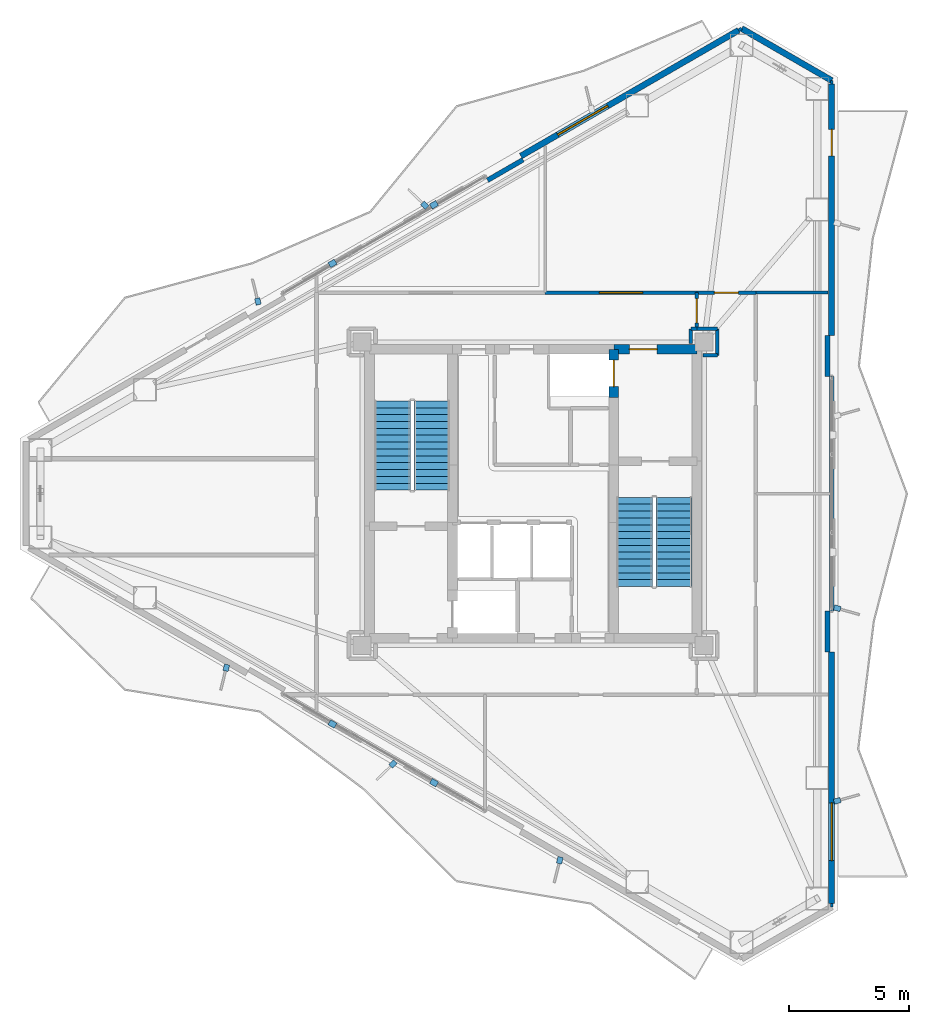
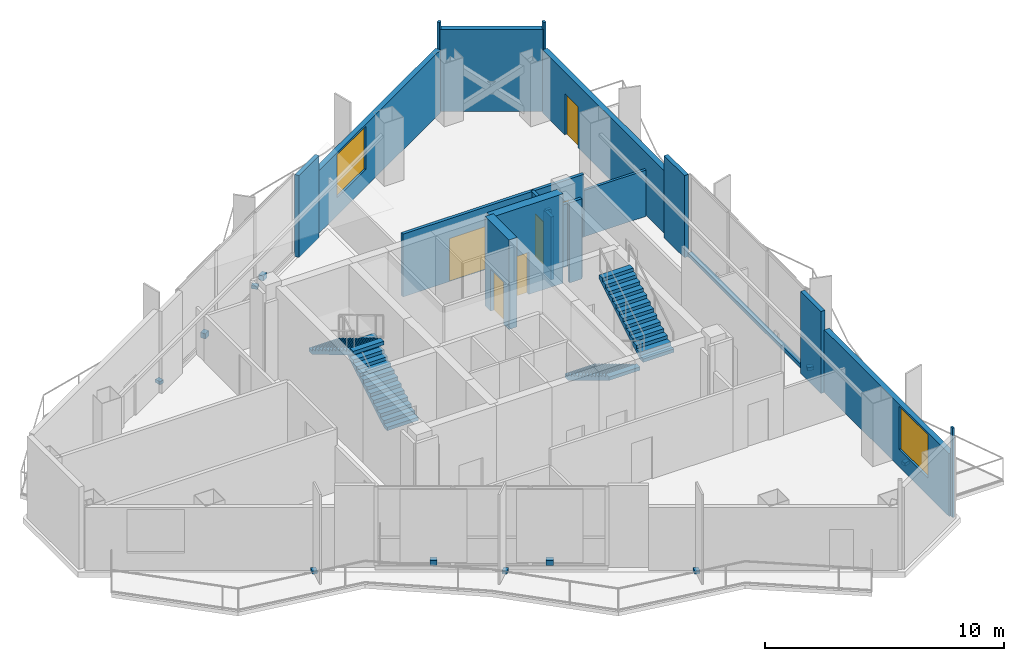
# One storey, part 15 of 18: 22 walls, 11 discrete accessories, 6 doors, 4 stair flights, 2 windows, 8 openings, 2 elements without a shape of their own.
"""IFC4 building model written with IfcOpenShell, lengths in metres."""

from ifc_helpers import new_model, si_unit, direction, frame, frame_2d, origin, origin_2d, place, context, subcontext, project, spatial, polyline, rectangle, outline, extrude, material, layer, layer_set, type_object, element, fill, aggregate, save


model = new_model("IFC4")

# Units and contexts
model_context = context("Model", 3, precision=1e-05, world=origin(), true_north=direction((0.0, 1.0)))
body_context = subcontext(model_context, "Body", "Model", "MODEL_VIEW")
ifc_project = project(units=[si_unit("LENGTHUNIT", "METRE"), si_unit("AREAUNIT", "SQUARE_METRE"), si_unit("VOLUMEUNIT", "CUBIC_METRE"), si_unit("PLANEANGLEUNIT", "RADIAN"), si_unit("MASSUNIT", "GRAM", prefix="KILO")], contexts=[model_context])

# Site, building, storey
site_placement = place(None, origin())
site = spatial("IfcSite", under=ifc_project, at=site_placement, CompositionType="ELEMENT")
building_placement = place(site_placement, origin())
building = spatial("IfcBuilding", under=site, at=building_placement, Name="Mersakhor Tower and Convention Hall", CompositionType="ELEMENT")
storey_placement = place(building_placement, frame((0.0, 0.0, 170.699951171875)))
storey = spatial("IfcBuildingStorey", under=building, at=storey_placement, Name="L47", CompositionType="ELEMENT", Elevation=170.699951171875)

# Wall
ifc_material_1 = material(Name="Precast concrete C40/50", Category="concrete")
ifc_layer_1 = layer(ifc_material_1, 0.25)
ifc_layer_set_1 = layer_set([ifc_layer_1], Name="Precast concrete C40/50")
wall_type_1 = type_object("IfcWallType", Name="WL-EXT-250", PredefinedType="SOLIDWALL", material=ifc_layer_set_1)
wall_1_placement = place(storey_placement, frame((37.662353515625, 46.07373046875, 0.0), z_axis=(0.0, 0.0, 1.0), x_axis=(0.866047252008, -0.499962155857, 0.0)))
element("IfcWall", 1, at=wall_1_placement, inside=storey, type_object=wall_type_1, Name="L47 Chamfer Braced Spandrel Wall C1", PredefinedType="SOLIDWALL", context=body_context, shape_type="SweptSolid", body=[
    extrude(rectangle(XDim=4.320068359375, YDim=0.25, at=frame_2d((2.16015625, 0.0))), origin(), (0.0, 0.0, 1.0), 4.18994140625),
])

# Wall, opening, window
wall_2_placement = place(storey_placement, frame((28.489013671875, 40.777587890625, 0.0), z_axis=(0.0, 0.0, 1.0), x_axis=(0.866027516296, 0.499996341005, 0.0)))
wall_2 = element("IfcWall", 2, at=wall_2_placement, inside=storey, type_object=wall_type_1, Name="L47 Exterior Facade Wall F1-B3", PredefinedType="SOLIDWALL", context=body_context, shape_type="SweptSolid", body=[
    extrude(rectangle(XDim=10.4423828125, YDim=0.25, at=frame_2d((5.22119140625, 0.0))), origin(), (0.0, 0.0, 1.0), 3.205078125),
])
opening_1_placement = place(wall_2_placement, frame((1.76904296875, 0.0, 0.89990234375)))
opening_1 = element("IfcOpeningElement", 3, at=opening_1_placement, cuts=wall_2, Name="Opening W-09", PredefinedType="OPENING", context=body_context, shape_type="SweptSolid", body=[
    extrude(rectangle(XDim=2.39990234375, YDim=2.199951171875, at=frame_2d((1.199951171875, 1.10009765625))), frame((0.0, 0.135009765625, 0.0), z_axis=(0.0, -1.0, 0.0), x_axis=(1.0, 0.0, 0.0)), (0.0, 0.0, 1.0), 0.27001953125),
])
ifc_material_2 = material(Name="Dark solar low-E glazed aluminium window", Category="aluminium")
window_type = type_object("IfcWindowType", Name="WN-COM-240x220", PartitioningType="SINGLE_PANEL", PredefinedType="WINDOW", material=ifc_material_2)
window_1_placement = place(opening_1_placement, origin())
window_1 = element("IfcWindow", 4, at=window_1_placement, inside=storey, type_object=window_type, Name="L47 Facade Punched Window F1-B3", OverallHeight=2.199951171875, OverallWidth=2.39990234375, PartitioningType="SINGLE_PANEL", PredefinedType="WINDOW", context=body_context, shape_type="SweptSolid", body=[
    extrude(rectangle(XDim=2.39990234375, YDim=2.199951171875, at=frame_2d((1.199951171875, 1.10009765625))), frame((0.0, 0.030029296875, 0.0), z_axis=(0.0, -1.0, 0.0), x_axis=(1.0, 0.0, 0.0)), (0.0, 0.0, 1.0), 0.06005859375),
])
fill(opening_1, window_1)

# Wall, opening, door
wall_3_placement = place(storey_placement, frame((41.40380859375, 43.763671875, 0.0), z_axis=(0.0, 0.0, 1.0), x_axis=(0.0, -1.0, 0.0)))
wall_3 = element("IfcWall", 5, at=wall_3_placement, inside=storey, type_object=wall_type_1, Name="L47 Exterior Facade Wall F2-B1", PredefinedType="SOLIDWALL", context=body_context, shape_type="SweptSolid", body=[
    extrude(rectangle(XDim=10.4423828125, YDim=0.25, at=frame_2d((5.22119140625, 0.0))), origin(), (0.0, 0.0, 1.0), 3.205078125),
])
opening_2_placement = place(wall_3_placement, frame((1.87890625, 0.0, 0.0)))
opening_2 = element("IfcOpeningElement", 6, at=opening_2_placement, cuts=wall_3, Name="Opening BD-02", PredefinedType="OPENING", context=body_context, shape_type="SweptSolid", body=[
    extrude(rectangle(XDim=1.10009765625, YDim=2.10009765625, at=frame_2d((0.550048828125, 1.050048828125))), frame((0.0, 0.135009765625, 0.0), z_axis=(0.0, -1.0, 0.0), x_axis=(1.0, 0.0, 0.0)), (0.0, 0.0, 1.0), 0.27001953125),
])
ifc_material_3 = material(Name="Thermally broken dark aluminium and safety glass", Category="aluminium")
door_type_1 = type_object("IfcDoorType", Name="DR-BAL-110x210", OperationType="NOTDEFINED", PredefinedType="DOOR", material=ifc_material_3)
door_1_placement = place(opening_2_placement, origin())
door_1 = element("IfcDoor", 7, at=door_1_placement, inside=storey, type_object=door_type_1, Name="L47 Balcony Terrace Door F2-B1", OperationType="SINGLE_SWING_RIGHT", OverallHeight=2.10009765625, OverallWidth=1.10009765625, PredefinedType="DOOR", context=body_context, shape_type="SweptSolid", body=[
    extrude(rectangle(XDim=1.10009765625, YDim=2.10009765625, at=frame_2d((0.550048828125, 1.050048828125))), frame((0.0, 0.02490234375, 0.0), z_axis=(0.0, -1.0, 0.0), x_axis=(1.0, 0.0, 0.0)), (0.0, 0.0, 1.0), 0.050048828125),
])
fill(opening_2, door_1)

# Wall, opening, window
wall_4_placement = place(storey_placement, frame((41.40380859375, 20.1787109375, 0.0), z_axis=(0.0, 0.0, 1.0), x_axis=(0.0, -1.0, 0.0)))
wall_4 = element("IfcWall", 8, at=wall_4_placement, inside=storey, type_object=wall_type_1, Name="L47 Exterior Facade Wall F2-B3", PredefinedType="SOLIDWALL", context=body_context, shape_type="SweptSolid", body=[
    extrude(rectangle(XDim=10.4423828125, YDim=0.25, at=frame_2d((5.22119140625, 0.0))), origin(), (0.0, 0.0, 1.0), 3.205078125),
])
opening_3_placement = place(wall_4_placement, frame((6.27294921875, 0.0, 0.89990234375)))
opening_3 = element("IfcOpeningElement", 9, at=opening_3_placement, cuts=wall_4, Name="Opening W-09", PredefinedType="OPENING", context=body_context, shape_type="SweptSolid", body=[
    extrude(rectangle(XDim=2.39990234375, YDim=2.199951171875, at=frame_2d((1.199951171875, 1.10009765625))), frame((0.0, 0.135009765625, 0.0), z_axis=(0.0, -1.0, 0.0), x_axis=(1.0, 0.0, 0.0)), (0.0, 0.0, 1.0), 0.27001953125),
])
window_2_placement = place(opening_3_placement, origin())
window_2 = element("IfcWindow", 10, at=window_2_placement, inside=storey, type_object=window_type, Name="L47 Facade Punched Window F2-B3", OverallHeight=2.199951171875, OverallWidth=2.39990234375, PartitioningType="SINGLE_PANEL", PredefinedType="WINDOW", context=body_context, shape_type="SweptSolid", body=[
    extrude(rectangle(XDim=2.39990234375, YDim=2.199951171875, at=frame_2d((1.199951171875, 1.10009765625))), frame((0.0, 0.030029296875, 0.0), z_axis=(0.0, -1.0, 0.0), x_axis=(1.0, 0.0, 0.0)), (0.0, 0.0, 1.0), 0.06005859375),
])
fill(opening_3, window_2)

# Walls
ifc_material_4 = material(Name="Precast concrete C40/50", Category="concrete")
ifc_layer_2 = layer(ifc_material_4, 0.199951171875)
ifc_layer_set_2 = layer_set([ifc_layer_2], Name="Precast concrete C40/50")
wall_type_2 = type_object("IfcWallType", Name="WL-PAR-200", PredefinedType="PARAPET", material=ifc_layer_set_2)
wall_5_placement = place(storey_placement, frame((27.106689453125, 39.771728515625, 0.0), z_axis=(0.0, 0.0, 1.0), x_axis=(0.866087547558, 0.499892348375, 0.0)))
element("IfcWall", 11, at=wall_5_placement, inside=storey, type_object=wall_type_2, Name="L47 Column Pier Cladding Wall F1-C2", PredefinedType="PARAPET", context=body_context, shape_type="SweptSolid", body=[
    extrude(rectangle(XDim=1.699951171875, YDim=0.199951171875, at=frame_2d((0.85009765625, 0.0))), origin(), (0.0, 0.0, 1.0), 4.18994140625),
])
wall_6_placement = place(storey_placement, frame((41.40380859375, 31.62109375, 0.0), z_axis=(0.0, 0.0, 1.0), x_axis=(0.0, -1.0, 0.0)))
element("IfcWall", 12, at=wall_6_placement, inside=storey, type_object=wall_type_2, Name="L47 Curtain Wall Upstand Sill F2-B2", PredefinedType="PARAPET", context=body_context, shape_type="SweptSolid", body=[
    extrude(rectangle(XDim=9.7421875, YDim=0.199951171875, at=frame_2d((4.87109375, 0.0))), origin(), (0.0, 0.0, 1.0), 0.199951171875),
])
for number, where, z_axis, x_axis, name in (
    (13, (41.223876953125, 33.3212890625, 0.0), (0.0, 0.0, 1.0), (0.0, -1.0, 0.0), "L47 Column Pier Cladding Wall F2-C1"),
    (14, (41.223876953125, 21.87890625, 0.0), (0.0, 0.0, 1.0), (0.0, -1.0, 0.0), "L47 Column Pier Cladding Wall F2-C2"),
):
    element("IfcWall", number, at=place(storey_placement, frame(where, z_axis=z_axis, x_axis=x_axis)), inside=storey, type_object=wall_type_2, Name=name, PredefinedType="PARAPET", context=body_context, shape_type="SweptSolid", body=[
        extrude(rectangle(XDim=1.7001953125, YDim=0.199951171875, at=frame_2d((0.85009765625, 0.0))), origin(), (0.0, 0.0, 1.0), 4.18994140625),
    ])
ifc_material_5 = material(Name="Lightweight gypsum partition", Category="other")
ifc_layer_3 = layer(ifc_material_5, 0.10009765625)
ifc_layer_set_3 = layer_set([ifc_layer_3], Name="Lightweight gypsum partition")
wall_type_3 = type_object("IfcWallType", Name="WL-PRT-100", PredefinedType="PARTITIONING", material=ifc_layer_set_3)
for number, where, z_axis, x_axis, name in (
    (15, (41.404052734375, 43.9140625, 0.0), (0.0, 0.0, 1.0), (0.0, -1.0, 0.0), "L47 Interior Partition Wall P-056"),
    (16, (41.404052734375, 9.736328125, 0.0), (0.0, 0.0, 1.0), (0.0, -1.0, 0.0), "L47 Interior Partition Wall P-060"),
):
    element("IfcWall", number, at=place(storey_placement, frame(where, z_axis=z_axis, x_axis=x_axis)), inside=storey, type_object=wall_type_3, Name=name, PredefinedType="PARTITIONING", context=body_context, shape_type="SweptSolid", body=[
        extrude(rectangle(XDim=0.150390625, YDim=0.10009765625, at=frame_2d((0.0751953125, 0.0))), origin(), (0.0, 0.0, 1.0), 4.570068359375),
    ])
ifc_material_6 = material(Name="Gypsum board acoustic partition", Category="other")
ifc_layer_4 = layer(ifc_material_6, 0.125)
ifc_layer_set_4 = layer_set([ifc_layer_4], Name="Gypsum board acoustic partition")
wall_type_4 = type_object("IfcWallType", Name="WL-PRT-125", PredefinedType="PARTITIONING", material=ifc_layer_set_4)
wall_7_placement = place(storey_placement, frame((38.25, 35.10009765625, 0.0), z_axis=(0.0, 0.0, 1.0), x_axis=(1.0, 0.0, 0.0)))
element("IfcWall", 17, at=wall_7_placement, inside=storey, type_object=wall_type_4, Name="L47 Interior Partition Wall P-047", PredefinedType="PARTITIONING", context=body_context, shape_type="SweptSolid", body=[
    extrude(rectangle(XDim=3.0048828125, YDim=0.125, at=frame_2d((1.50244140625, 0.0))), origin(), (0.0, 0.0, 1.0), 2.364990234375),
])
wall_8_placement = place(storey_placement, frame((37.5322265625, 45.9990234375, 0.0), z_axis=(0.0, 0.0, 1.0), x_axis=(0.866131372301, 0.499816412211, 0.0)))
element("IfcWall", 18, at=wall_8_placement, inside=storey, type_object=wall_type_4, Name="L47 Interior Partition Wall P-055", PredefinedType="PARTITIONING", context=body_context, shape_type="SweptSolid", body=[
    extrude(rectangle(XDim=0.14990234375, YDim=0.125, at=frame_2d((0.074951171875, 0.0))), origin(), (0.0, 0.0, 1.0), 4.570068359375),
])

# Wall, opening, door
ifc_material_7 = material(Name="Fire-rated gypsum board stud partition", Category="other")
ifc_layer_5 = layer(ifc_material_7, 0.14990234375)
ifc_layer_set_5 = layer_set([ifc_layer_5], Name="Fire-rated gypsum board stud partition")
wall_type_5 = type_object("IfcWallType", Name="WL-PRT-150", PredefinedType="PARTITIONING", material=ifc_layer_set_5)
wall_9_placement = place(storey_placement, frame((29.5, 35.10009765625, 0.0), z_axis=(0.0, 0.0, 1.0), x_axis=(1.0, 0.0, 0.0)))
wall_9 = element("IfcWall", 19, at=wall_9_placement, inside=storey, type_object=wall_type_5, Name="L47 Interior Partition Wall P-027", PredefinedType="PARTITIONING", context=body_context, shape_type="SweptSolid", body=[
    extrude(rectangle(XDim=6.300048828125, YDim=0.14990234375, at=frame_2d((3.14990234375, 0.0))), origin(), (0.0, 0.0, 1.0), 3.205078125),
])
opening_4_placement = place(wall_9_placement, frame((2.25, 0.0, 0.0)))
opening_4 = element("IfcOpeningElement", 20, at=opening_4_placement, cuts=wall_9, Name="Opening HD-01", PredefinedType="OPENING", context=body_context, shape_type="SweptSolid", body=[
    extrude(rectangle(XDim=1.800048828125, YDim=2.199951171875, at=frame_2d((0.89990234375, 1.10009765625))), frame((0.0, 0.0849609375, 0.0), z_axis=(0.0, -1.0, 0.0), x_axis=(1.0, 0.0, 0.0)), (0.0, 0.0, 1.0), 0.169921875),
])
ifc_material_8 = material(Name="Fire-rated hardwood leaf and painted steel frame", Category="steel")
door_type_2 = type_object("IfcDoorType", Name="DR-INT-HALL-180x220", OperationType="NOTDEFINED", PredefinedType="DOOR", material=ifc_material_8)
door_2_placement = place(opening_4_placement, origin())
door_2 = element("IfcDoor", 21, at=door_2_placement, inside=storey, type_object=door_type_2, Name="L47 L47 Sky-Lobby Corridor to Shared Residents Dining Room Door", OperationType="DOUBLE_DOOR_SINGLE_SWING", OverallHeight=2.199951171875, OverallWidth=1.800048828125, PredefinedType="DOOR", context=body_context, shape_type="SweptSolid", body=[
    extrude(rectangle(XDim=1.800048828125, YDim=2.199951171875, at=frame_2d((0.89990234375, 1.10009765625))), frame((0.0, 0.02490234375, 0.0), z_axis=(0.0, -1.0, 0.0), x_axis=(1.0, 0.0, 0.0)), (0.0, 0.0, 1.0), 0.050048828125),
])
fill(opening_4, door_2)

wall_10_placement = place(storey_placement, frame((35.800048828125, 35.10009765625, 0.0), z_axis=(0.0, 0.0, 1.0), x_axis=(0.0, -1.0, 0.0)))
wall_10 = element("IfcWall", 22, at=wall_10_placement, inside=storey, type_object=wall_type_5, Name="L47 Interior Partition Wall P-028", PredefinedType="PARTITIONING", context=body_context, shape_type="SweptSolid", body=[
    extrude(rectangle(XDim=1.5, YDim=0.14990234375, at=frame_2d((0.75, 0.0))), origin(), (0.0, 0.0, 1.0), 3.205078125),
])
opening_5_placement = place(wall_10_placement, frame((0.25, 0.0, 0.0)))
opening_5 = element("IfcOpeningElement", 23, at=opening_5_placement, cuts=wall_10, Name="Opening FD-01", PredefinedType="OPENING", context=body_context, shape_type="SweptSolid", body=[
    extrude(rectangle(XDim=1.0, YDim=2.14990234375, at=frame_2d((0.5, 1.074951171875))), frame((0.0, 0.0849609375, 0.0), z_axis=(0.0, -1.0, 0.0), x_axis=(1.0, 0.0, 0.0)), (0.0, 0.0, 1.0), 0.169921875),
])
ifc_material_9 = material(Name="Fire-rated hardwood leaf and painted steel frame", Category="steel")
door_type_3 = type_object("IfcDoorType", Name="DR-INT-FLT-100x215", OperationType="NOTDEFINED", PredefinedType="DOOR", material=ifc_material_9)
door_3_placement = place(opening_5_placement, origin())
door_3 = element("IfcDoor", 24, at=door_3_placement, inside=storey, type_object=door_type_3, Name="L47 Ring Corridor Fire Door", OperationType="SINGLE_SWING_RIGHT", OverallHeight=2.14990234375, OverallWidth=1.0, PredefinedType="DOOR", context=body_context, shape_type="SweptSolid", body=[
    extrude(rectangle(XDim=1.0, YDim=2.14990234375, at=frame_2d((0.5, 1.074951171875))), frame((0.0, 0.02490234375, 0.0), z_axis=(0.0, -1.0, 0.0), x_axis=(1.0, 0.0, 0.0)), (0.0, 0.0, 1.0), 0.050048828125),
])
fill(opening_5, door_3)

# Walls
wall_11_placement = place(storey_placement, frame((35.800048828125, 33.60009765625, 0.0), z_axis=(0.0, 0.0, 1.0), x_axis=(-1.0, 0.0, 0.0)))
element("IfcWall", 25, at=wall_11_placement, inside=storey, type_object=wall_type_5, Name="L47 Interior Partition Wall P-029", PredefinedType="PARTITIONING", context=body_context, shape_type="SweptSolid", body=[
    extrude(rectangle(XDim=0.25, YDim=0.14990234375, at=frame_2d((0.125, 0.0))), origin(), (0.0, 0.0, 1.0), 3.205078125),
])
wall_12_placement = place(storey_placement, frame((35.550048828125, 33.60009765625, 0.0), z_axis=(0.0, 0.0, 1.0), x_axis=(0.0, -1.0, 0.0)))
element("IfcWall", 26, at=wall_12_placement, inside=storey, type_object=wall_type_5, Name="L47 Interior Partition Wall P-030", PredefinedType="PARTITIONING", context=body_context, shape_type="SweptSolid", body=[
    extrude(rectangle(XDim=0.60009765625, YDim=0.14990234375, at=frame_2d((0.300048828125, 0.0))), origin(), (0.0, 0.0, 1.0), 3.205078125),
])
wall_13_placement = place(storey_placement, frame((36.050048828125, 32.5, 0.0), z_axis=(0.0, 0.0, 1.0), x_axis=(1.0, 0.0, 0.0)))
element("IfcWall", 27, at=wall_13_placement, inside=storey, type_object=wall_type_5, Name="L47 Interior Partition Wall P-038", PredefinedType="PARTITIONING", context=body_context, shape_type="SweptSolid", body=[
    extrude(rectangle(XDim=0.599853515625, YDim=0.14990234375, at=frame_2d((0.2998046875, 0.0))), origin(), (0.0, 0.0, 1.0), 4.094970703125),
])
wall_14_placement = place(storey_placement, frame((36.64990234375, 32.5, 0.0), z_axis=(0.0, 0.0, 1.0), x_axis=(0.0, 1.0, 0.0)))
element("IfcWall", 28, at=wall_14_placement, inside=storey, type_object=wall_type_5, Name="L47 Interior Partition Wall P-039", PredefinedType="PARTITIONING", context=body_context, shape_type="SweptSolid", body=[
    extrude(rectangle(XDim=1.10009765625, YDim=0.14990234375, at=frame_2d((0.550048828125, 0.0))), origin(), (0.0, 0.0, 1.0), 3.205078125),
])
wall_15_placement = place(storey_placement, frame((36.64990234375, 33.60009765625, 0.0), z_axis=(0.0, 0.0, 1.0), x_axis=(-1.0, 0.0, 0.0)))
element("IfcWall", 29, at=wall_15_placement, inside=storey, type_object=wall_type_5, Name="L47 Interior Partition Wall P-040", PredefinedType="PARTITIONING", context=body_context, shape_type="SweptSolid", body=[
    extrude(rectangle(XDim=0.849853515625, YDim=0.14990234375, at=frame_2d((0.4248046875, 0.0))), origin(), (0.0, 0.0, 1.0), 3.205078125),
])

# Wall, opening, door
wall_16_placement = place(storey_placement, frame((35.800048828125, 35.10009765625, 0.0), z_axis=(0.0, 0.0, 1.0), x_axis=(1.0, 0.0, 0.0)))
wall_16 = element("IfcWall", 30, at=wall_16_placement, inside=storey, type_object=wall_type_5, Name="L47 Interior Partition Wall P-041", PredefinedType="PARTITIONING", context=body_context, shape_type="SweptSolid", body=[
    extrude(rectangle(XDim=2.449951171875, YDim=0.14990234375, at=frame_2d((1.22509765625, 0.0))), origin(), (0.0, 0.0, 1.0), 3.205078125),
])
opening_6_placement = place(wall_16_placement, frame((0.72509765625, 0.0, 0.0)))
opening_6 = element("IfcOpeningElement", 31, at=opening_6_placement, cuts=wall_16, Name="Opening FD-01", PredefinedType="OPENING", context=body_context, shape_type="SweptSolid", body=[
    extrude(rectangle(XDim=1.0, YDim=2.14990234375, at=frame_2d((0.5, 1.074951171875))), frame((0.0, 0.0849609375, 0.0), z_axis=(0.0, -1.0, 0.0), x_axis=(1.0, 0.0, 0.0)), (0.0, 0.0, 1.0), 0.169921875),
])
door_4_placement = place(opening_6_placement, origin())
door_4 = element("IfcDoor", 32, at=door_4_placement, inside=storey, type_object=door_type_3, Name="L47 L47 Sky-Lobby East Corridor to Shared Residents Dining Room Door", OperationType="SINGLE_SWING_LEFT", OverallHeight=2.14990234375, OverallWidth=1.0, PredefinedType="DOOR", context=body_context, shape_type="SweptSolid", body=[
    extrude(rectangle(XDim=1.0, YDim=2.14990234375, at=frame_2d((0.5, 1.074951171875))), frame((0.0, 0.02490234375, 0.0), z_axis=(0.0, -1.0, 0.0), x_axis=(1.0, 0.0, 0.0)), (0.0, 0.0, 1.0), 0.050048828125),
])
fill(opening_6, door_4)

ifc_material_10 = material(Name="Concrete C60/75", Category="concrete")
ifc_layer_6 = layer(ifc_material_10, 0.39990234375)
ifc_layer_set_6 = layer_set([ifc_layer_6], Name="Concrete C60/75")
wall_type_6 = type_object("IfcWallType", Name="WL-SHR-400", PredefinedType="SHEAR", material=ifc_layer_set_6)
wall_17_placement = place(storey_placement, frame((32.35009765625, 32.75, 0.0), z_axis=(0.0, 0.0, 1.0), x_axis=(1.0, 0.0, 0.0)))
wall_17 = element("IfcWall", 33, at=wall_17_placement, inside=storey, type_object=wall_type_6, Name="L47 Core Wall CW-N4", PredefinedType="SHEAR", context=body_context, shape_type="SweptSolid", body=[
    extrude(rectangle(XDim=3.449951171875, YDim=0.39990234375, at=frame_2d((1.72509765625, 0.0))), origin(), (0.0, 0.0, 1.0), 4.570068359375),
])
opening_7_placement = place(wall_17_placement, frame((0.64990234375, 0.0, 0.0)))
opening_7 = element("IfcOpeningElement", 34, at=opening_7_placement, cuts=wall_17, Name="Opening SD-01", PredefinedType="OPENING", context=body_context, shape_type="SweptSolid", body=[
    extrude(rectangle(XDim=1.14990234375, YDim=2.14990234375, at=frame_2d((0.574951171875, 1.074951171875))), frame((0.0, 0.2099609375, 0.0), z_axis=(0.0, -1.0, 0.0), x_axis=(1.0, 0.0, 0.0)), (0.0, 0.0, 1.0), 0.419921875),
])
ifc_material_11 = material(Name="Fire-rated hardwood leaf and painted steel frame", Category="steel")
door_type_4 = type_object("IfcDoorType", Name="DR-INT-STAIR-115x215", OperationType="NOTDEFINED", PredefinedType="DOOR", material=ifc_material_11)
door_5_placement = place(opening_7_placement, origin())
door_5 = element("IfcDoor", 35, at=door_5_placement, inside=storey, type_object=door_type_4, Name="L47 Firefighting Lobby East Fire Door", OperationType="SINGLE_SWING_RIGHT", OverallHeight=2.14990234375, OverallWidth=1.14990234375, PredefinedType="DOOR", context=body_context, shape_type="SweptSolid", body=[
    extrude(rectangle(XDim=1.14990234375, YDim=2.14990234375, at=frame_2d((0.574951171875, 1.074951171875))), frame((0.0, 0.02490234375, 0.0), z_axis=(0.0, -1.0, 0.0), x_axis=(1.0, 0.0, 0.0)), (0.0, 0.0, 1.0), 0.050048828125),
])
fill(opening_7, door_5)

wall_18_placement = place(storey_placement, frame((32.35009765625, 30.75, 0.0), z_axis=(0.0, 0.0, 1.0), x_axis=(0.0, 1.0, 0.0)))
wall_18 = element("IfcWall", 36, at=wall_18_placement, inside=storey, type_object=wall_type_6, Name="L47 Core Wall CS-E-FFL", PredefinedType="SHEAR", context=body_context, shape_type="SweptSolid", body=[
    extrude(rectangle(XDim=2.0, YDim=0.39990234375, at=frame_2d((1.0, 0.0))), origin(), (0.0, 0.0, 1.0), 4.570068359375),
])
opening_8_placement = place(wall_18_placement, frame((0.449951171875, 0.0, 0.0)))
opening_8 = element("IfcOpeningElement", 37, at=opening_8_placement, cuts=wall_18, Name="Opening LD-FFL2", PredefinedType="OPENING", context=body_context, shape_type="SweptSolid", body=[
    extrude(rectangle(XDim=1.10009765625, YDim=2.14990234375, at=frame_2d((0.550048828125, 1.074951171875))), frame((0.0, 0.2099609375, 0.0), z_axis=(0.0, -1.0, 0.0), x_axis=(1.0, 0.0, 0.0)), (0.0, 0.0, 1.0), 0.419921875),
])
ifc_material_12 = material(Name="Fire-rated brushed stainless steel sliding landing door", Category="steel")
door_type_5 = type_object("IfcDoorType", Name="DR-LIFT-SLD-110x215", OperationType="NOTDEFINED", PredefinedType="DOOR", material=ifc_material_12)
door_6_placement = place(opening_8_placement, origin())
door_6 = element("IfcDoor", 38, at=door_6_placement, inside=storey, type_object=door_type_5, Name="L47 Firefighting Lift Landing Door LD-FFL2", OperationType="SLIDING_TO_LEFT", OverallHeight=2.14990234375, OverallWidth=1.10009765625, PredefinedType="DOOR", context=body_context, shape_type="SweptSolid", body=[
    extrude(rectangle(XDim=1.10009765625, YDim=2.14990234375, at=frame_2d((0.550048828125, 1.074951171875))), frame((0.0, 0.02490234375, 0.0), z_axis=(0.0, -1.0, 0.0), x_axis=(1.0, 0.0, 0.0)), (0.0, 0.0, 1.0), 0.050048828125),
])
fill(opening_8, door_6)

# Stair, stair flights
ifc_material_13 = material(Name="Concrete C45/55", Category="concrete")
stair_type = type_object("IfcStairType", Name="ST-TWR-28R", PredefinedType="HALF_TURN_STAIR", material=ifc_material_13)
stair_1_placement = place(storey_placement, origin())
stair_1 = element("IfcStair", 39, at=stair_1_placement, inside=storey, type_object=stair_type, Name="L47 Tower Protected Exit Stair ST-1", PredefinedType="HALF_TURN_STAIR")
ifc_material_14 = material(Name="Concrete C45/55", Category="concrete")
stair_flight_type = type_object("IfcStairFlightType", Name="SFL-TWR-28R", PredefinedType="STRAIGHT", material=ifc_material_14)
stair_flight_1_placement = place(storey_placement, frame((24.800048828125, 26.89990234375, 0.0), z_axis=(0.0, 0.0, 1.0), x_axis=(0.0, 1.0, 0.0)))
stair_flight_1 = element("IfcStairFlight", 40, at=stair_flight_1_placement, type_object=stair_flight_type, Name="ST-1 flight 1", NumberOfRisers=14, NumberOfTreads=13, PredefinedType="STRAIGHT", RiserHeight=0.171428571, TreadLength=0.285, context=body_context, shape_type="SweptSolid", body=[
    extrude(outline(polyline([(0.0, 0.0), (0.0, 0.17138671875), (0.284912109375, 0.17138671875), (0.284912109375, 0.3427734375), (0.570068359375, 0.3427734375), (0.570068359375, 0.514404296875), (0.85498046875, 0.514404296875), (0.85498046875, 0.685791015625), (1.139892578125, 0.685791015625), (1.139892578125, 0.857177734375), (1.425048828125, 0.857177734375), (1.425048828125, 1.028564453125), (1.7099609375, 1.028564453125), (1.7099609375, 1.199951171875), (1.9951171875, 1.199951171875), (1.9951171875, 1.371337890625), (2.280029296875, 1.371337890625), (2.280029296875, 1.54296875), (2.56494140625, 1.54296875), (2.56494140625, 1.71435546875), (2.85009765625, 1.71435546875), (2.85009765625, 1.8857421875), (3.135009765625, 1.8857421875), (3.135009765625, 2.05712890625), (3.419921875, 2.05712890625), (3.419921875, 2.228515625), (3.705078125, 2.228515625), (3.705078125, 2.39990234375), (3.705078125, 2.0537109375), (0.290771484375, 0.0), (0.0, 0.0)])), frame((0.0, 0.75, 0.0), z_axis=(0.0, -1.0, 0.0), x_axis=(1.0, 0.0, 0.0)), (0.0, 0.0, 1.0), 1.5),
])
stair_flight_2_placement = place(storey_placement, frame((23.14990234375, 30.60498046875, 2.400146484375), z_axis=(0.0, 0.0, 1.0), x_axis=(0.0, -1.0, 0.0)))
stair_flight_2 = element("IfcStairFlight", 41, at=stair_flight_2_placement, type_object=stair_flight_type, Name="ST-1 flight 2", NumberOfRisers=14, NumberOfTreads=13, PredefinedType="STRAIGHT", RiserHeight=0.171428571, TreadLength=0.285, context=body_context, shape_type="SweptSolid", body=[
    extrude(outline(polyline([(0.0, 0.0), (0.0, 0.17138671875), (0.284912109375, 0.17138671875), (0.284912109375, 0.3427734375), (0.570068359375, 0.3427734375), (0.570068359375, 0.514404296875), (0.85498046875, 0.514404296875), (0.85498046875, 0.685791015625), (1.139892578125, 0.685791015625), (1.139892578125, 0.857177734375), (1.425048828125, 0.857177734375), (1.425048828125, 1.028564453125), (1.7099609375, 1.028564453125), (1.7099609375, 1.199951171875), (1.9951171875, 1.199951171875), (1.9951171875, 1.371337890625), (2.280029296875, 1.371337890625), (2.280029296875, 1.54296875), (2.56494140625, 1.54296875), (2.56494140625, 1.71435546875), (2.85009765625, 1.71435546875), (2.85009765625, 1.8857421875), (3.135009765625, 1.8857421875), (3.135009765625, 2.05712890625), (3.419921875, 2.05712890625), (3.419921875, 2.228515625), (3.705078125, 2.228515625), (3.705078125, 2.39990234375), (3.705078125, 2.0537109375), (0.290771484375, 0.0), (0.0, 0.0)])), frame((0.0, 0.75, 0.0), z_axis=(0.0, -1.0, 0.0), x_axis=(1.0, 0.0, 0.0)), (0.0, 0.0, 1.0), 1.5),
])
aggregate(stair_1, [stair_flight_1, stair_flight_2])

stair_2_placement = place(storey_placement, origin())
stair_2 = element("IfcStair", 42, at=stair_2_placement, inside=storey, type_object=stair_type, Name="L47 Tower Protected Exit Stair ST-2", PredefinedType="HALF_TURN_STAIR")
stair_flight_3_placement = place(storey_placement, frame((33.199951171875, 26.60009765625, 0.0), z_axis=(0.0, 0.0, 1.0), x_axis=(0.0, -1.0, 0.0)))
stair_flight_3 = element("IfcStairFlight", 43, at=stair_flight_3_placement, type_object=stair_flight_type, Name="ST-2 flight 1", NumberOfRisers=14, NumberOfTreads=13, PredefinedType="STRAIGHT", RiserHeight=0.171428571, TreadLength=0.285, context=body_context, shape_type="SweptSolid", body=[
    extrude(outline(polyline([(0.0, 0.0), (0.0, 0.17138671875), (0.284912109375, 0.17138671875), (0.284912109375, 0.3427734375), (0.570068359375, 0.3427734375), (0.570068359375, 0.514404296875), (0.85498046875, 0.514404296875), (0.85498046875, 0.685791015625), (1.139892578125, 0.685791015625), (1.139892578125, 0.857177734375), (1.425048828125, 0.857177734375), (1.425048828125, 1.028564453125), (1.7099609375, 1.028564453125), (1.7099609375, 1.199951171875), (1.9951171875, 1.199951171875), (1.9951171875, 1.371337890625), (2.280029296875, 1.371337890625), (2.280029296875, 1.54296875), (2.56494140625, 1.54296875), (2.56494140625, 1.71435546875), (2.85009765625, 1.71435546875), (2.85009765625, 1.8857421875), (3.135009765625, 1.8857421875), (3.135009765625, 2.05712890625), (3.419921875, 2.05712890625), (3.419921875, 2.228515625), (3.705078125, 2.228515625), (3.705078125, 2.39990234375), (3.705078125, 2.0537109375), (0.290771484375, 0.0), (0.0, 0.0)])), frame((0.0, 0.75, 0.0), z_axis=(0.0, -1.0, 0.0), x_axis=(1.0, 0.0, 0.0)), (0.0, 0.0, 1.0), 1.5),
])
stair_flight_4_placement = place(storey_placement, frame((34.85009765625, 22.89501953125, 2.400146484375), z_axis=(0.0, 0.0, 1.0), x_axis=(0.0, 1.0, 0.0)))
stair_flight_4 = element("IfcStairFlight", 44, at=stair_flight_4_placement, type_object=stair_flight_type, Name="ST-2 flight 2", NumberOfRisers=14, NumberOfTreads=13, PredefinedType="STRAIGHT", RiserHeight=0.171428571, TreadLength=0.285, context=body_context, shape_type="SweptSolid", body=[
    extrude(outline(polyline([(0.0, 0.0), (0.0, 0.17138671875), (0.284912109375, 0.17138671875), (0.284912109375, 0.3427734375), (0.570068359375, 0.3427734375), (0.570068359375, 0.514404296875), (0.85498046875, 0.514404296875), (0.85498046875, 0.685791015625), (1.139892578125, 0.685791015625), (1.139892578125, 0.857177734375), (1.425048828125, 0.857177734375), (1.425048828125, 1.028564453125), (1.7099609375, 1.028564453125), (1.7099609375, 1.199951171875), (1.9951171875, 1.199951171875), (1.9951171875, 1.371337890625), (2.280029296875, 1.371337890625), (2.280029296875, 1.54296875), (2.56494140625, 1.54296875), (2.56494140625, 1.71435546875), (2.85009765625, 1.71435546875), (2.85009765625, 1.8857421875), (3.135009765625, 1.8857421875), (3.135009765625, 2.05712890625), (3.419921875, 2.05712890625), (3.419921875, 2.228515625), (3.705078125, 2.228515625), (3.705078125, 2.39990234375), (3.705078125, 2.0537109375), (0.290771484375, 0.0), (0.0, 0.0)])), frame((0.0, 0.75, 0.0), z_axis=(0.0, -1.0, 0.0), x_axis=(1.0, 0.0, 0.0)), (0.0, 0.0, 1.0), 1.5),
])
aggregate(stair_2, [stair_flight_3, stair_flight_4])

# Discrete accessories
ifc_material_15 = material(Name="Galvanised steel bracket", Category="steel")
ifc_layer_7 = layer(ifc_material_15, 0.02001953125)
ifc_layer_set_7 = layer_set([ifc_layer_7], Name="Galvanised steel bracket")
discrete_accessory_type = type_object("IfcDiscreteAccessoryType", Name="ACC-BRK-STL", PredefinedType="BRACKET", material=ifc_layer_set_7)
for number, where, z_axis, x_axis, name in (
    (45, (20.663818359375, 36.3173828125, 0.2900390625), (0.0, 0.0, 1.0), (0.866025403784, 0.5, 0.0), "L47 Solar Screen Outrigger Bracket BRK-1-1"),
    (46, (24.88232421875, 38.753173828125, 0.2900390625), (0.0, 0.0, 1.0), (0.866025403784, 0.5, 0.0), "L47 Solar Screen Outrigger Bracket BRK-1-2"),
):
    element("IfcDiscreteAccessory", number, at=place(storey_placement, frame(where, z_axis=z_axis, x_axis=x_axis)), inside=storey, type_object=discrete_accessory_type, Name=name, PredefinedType="BRACKET", context=body_context, shape_type="SweptSolid", body=[
        extrude(rectangle(XDim=0.300048828125, YDim=0.239990234375, at=origin_2d()), origin(), (0.0, 0.0, 1.0), 0.260009765625),
    ])
for number, where, z_axis, x_axis, name in (
    (47, (17.566650390625, 34.7373046875, -0.02001953125), (0.0, 0.0, 1.0), (-0.2419218956, 0.970295726276, 0.0), "L47 Facade Fin Base Cleat Bracket FBRK-1-1"),
    (48, (24.494873046875, 38.7373046875, -0.02001953125), (0.0, 0.0, 1.0), (-0.719339800339, 0.694658370459, 0.0), "L47 Facade Fin Base Cleat Bracket FBRK-1-2"),
    (49, (41.6337890625, 21.9912109375, -0.02001953125), (0.0, 0.0, 1.0), (0.961261695938, -0.275637355817, 0.0), "L47 Facade Fin Base Cleat Bracket FBRK-2-3"),
    (50, (41.6337890625, 13.9912109375, -0.02001953125), (0.0, 0.0, 1.0), (0.961261695938, 0.275637355817, 0.0), "L47 Facade Fin Base Cleat Bracket FBRK-2-4"),
):
    element("IfcDiscreteAccessory", number, at=place(storey_placement, frame(where, z_axis=z_axis, x_axis=x_axis)), inside=storey, type_object=discrete_accessory_type, Name=name, PredefinedType="BRACKET", context=body_context, shape_type="SweptSolid", body=[
        extrude(rectangle(XDim=0.280029296875, YDim=0.219970703125, at=origin_2d()), origin(), (0.0, 0.0, 1.0), 0.159912109375),
    ])
for number, where, z_axis, x_axis, name in (
    (51, (24.88232421875, 14.746826171875, 0.2900390625), (0.0, 0.0, 1.0), (-0.866025403784, 0.5, 0.0), "L47 Solar Screen Outrigger Bracket BRK-3-1"),
    (52, (20.663818359375, 17.1826171875, 0.2900390625), (0.0, 0.0, 1.0), (-0.866025403784, 0.5, 0.0), "L47 Solar Screen Outrigger Bracket BRK-3-2"),
):
    element("IfcDiscreteAccessory", number, at=place(storey_placement, frame(where, z_axis=z_axis, x_axis=x_axis)), inside=storey, type_object=discrete_accessory_type, Name=name, PredefinedType="BRACKET", context=body_context, shape_type="SweptSolid", body=[
        extrude(rectangle(XDim=0.300048828125, YDim=0.239990234375, at=origin_2d()), origin(), (0.0, 0.0, 1.0), 0.260009765625),
    ])
for number, where, z_axis, x_axis, name in (
    (53, (30.10888671875, 11.521484375, -0.02001953125), (0.0, 0.0, 1.0), (-0.2419218956, -0.970295726276, 0.0), "L47 Facade Fin Base Cleat Bracket FBRK-3-1"),
    (54, (23.180908203125, 15.521484375, -0.02001953125), (0.0, 0.0, 1.0), (-0.719339800339, -0.694658370459, 0.0), "L47 Facade Fin Base Cleat Bracket FBRK-3-2"),
    (55, (16.252685546875, 19.521484375, -0.02001953125), (0.0, 0.0, 1.0), (-0.2419218956, -0.970295726276, 0.0), "L47 Facade Fin Base Cleat Bracket FBRK-3-3"),
):
    element("IfcDiscreteAccessory", number, at=place(storey_placement, frame(where, z_axis=z_axis, x_axis=x_axis)), inside=storey, type_object=discrete_accessory_type, Name=name, PredefinedType="BRACKET", context=body_context, shape_type="SweptSolid", body=[
        extrude(rectangle(XDim=0.280029296875, YDim=0.219970703125, at=origin_2d()), origin(), (0.0, 0.0, 1.0), 0.159912109375),
    ])

save(model, "model.ifc")
